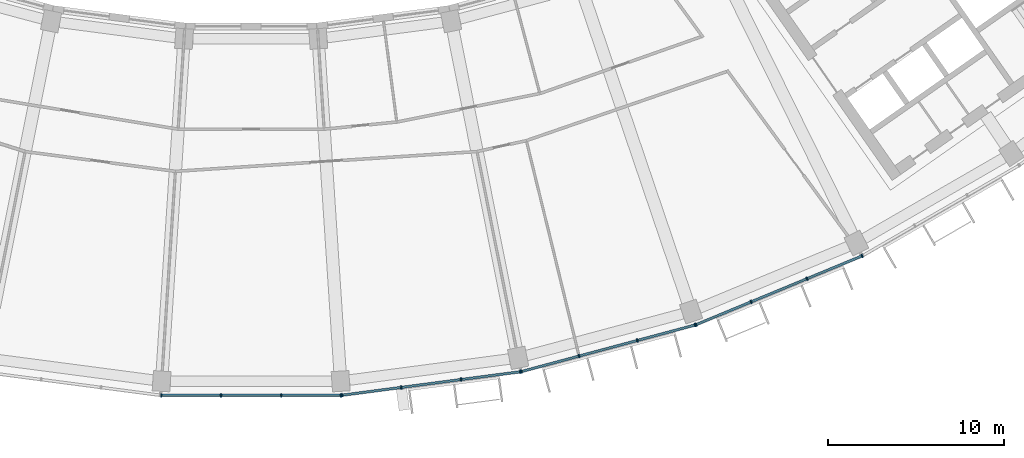
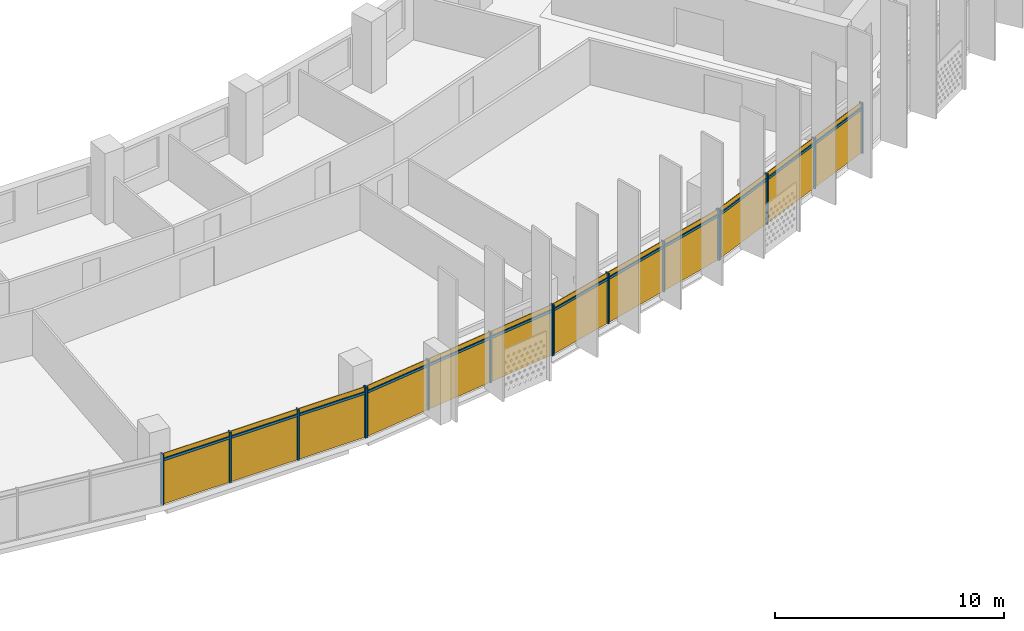
# One storey, part 20 of 27: 28 members, 4 curtain walls.
"""IFC4 building model written with IfcOpenShell, lengths in metres."""

from ifc_helpers import new_model, si_unit, direction, frame, origin, origin_2d, place, context, subcontext, project, spatial, rectangle, extrude, material, material_profile, profile_set, type_object, element, aggregate, save


model = new_model("IFC4")

# Units and contexts
model_context = context("Model", 3, precision=1e-05, world=origin(), true_north=direction((0.0, 1.0)))
body_context = subcontext(model_context, "Body", "Model", "MODEL_VIEW")
ifc_project = project(units=[si_unit("LENGTHUNIT", "METRE"), si_unit("AREAUNIT", "SQUARE_METRE"), si_unit("VOLUMEUNIT", "CUBIC_METRE"), si_unit("PLANEANGLEUNIT", "RADIAN"), si_unit("MASSUNIT", "GRAM", prefix="KILO")], contexts=[model_context])

# Member
ifc_material = material(Name="Aluminium 6063-T6 anodised", Category="aluminium")
ifc_material_profile_1 = material_profile(ifc_material, rectangle(XDim=0.199951171875, YDim=0.070068359375, at=origin_2d()))
ifc_profile_set_1 = profile_set([ifc_material_profile_1], Name="Aluminium 6063-T6 anodised")
member_type_1 = type_object("IfcMemberType", Name="Mullion 70 x 200 aluminium", PredefinedType="MULLION", material=ifc_profile_set_1)
site_placement = place(None, origin())
building_placement = place(site_placement, origin())
storey_placement = place(building_placement, frame((0.0, 0.0, 211.300048828125)))
member_1_placement = place(storey_placement, frame((-5.10888671875, -78.381591796875, 0.0), z_axis=(0.0, 0.0, 1.0), x_axis=(0.0, 1.0, 0.0)))
member_1 = element("IfcMember", 1, at=member_1_placement, type_object=member_type_1, Name="e-cw1-L50-out08/M00", PredefinedType="MULLION", context=body_context, shape_type="SweptSolid", body=[
    extrude(rectangle(XDim=0.199951171875, YDim=0.070068359375, at=origin_2d()), origin(), (0.0, 0.0, 1.0), 2.699951171875),
])

member_2_placement = place(storey_placement, frame((-1.714599609375, -78.381591796875, 0.0), z_axis=(0.0, 0.0, 1.0), x_axis=(0.0, 1.0, 0.0)))
member_2 = element("IfcMember", 2, at=member_2_placement, type_object=member_type_1, Name="e-cw1-L50-out08/M01", PredefinedType="MULLION", context=body_context, shape_type="SweptSolid", body=[
    extrude(rectangle(XDim=0.199951171875, YDim=0.070068359375, at=origin_2d()), origin(), (0.0, 0.0, 1.0), 2.699951171875),
])

member_3_placement = place(storey_placement, frame((1.714599609375, -78.381591796875, 0.0), z_axis=(0.0, 0.0, 1.0), x_axis=(0.0, 1.0, 0.0)))
member_3 = element("IfcMember", 3, at=member_3_placement, type_object=member_type_1, Name="e-cw1-L50-out08/M02", PredefinedType="MULLION", context=body_context, shape_type="SweptSolid", body=[
    extrude(rectangle(XDim=0.199951171875, YDim=0.070068359375, at=origin_2d()), origin(), (0.0, 0.0, 1.0), 2.699951171875),
])

member_4_placement = place(storey_placement, frame((5.10888671875, -78.381591796875, 0.0), z_axis=(0.0, 0.0, 1.0), x_axis=(0.0, 1.0, 0.0)))
member_4 = element("IfcMember", 4, at=member_4_placement, type_object=member_type_1, Name="e-cw1-L50-out08/M03", PredefinedType="MULLION", context=body_context, shape_type="SweptSolid", body=[
    extrude(rectangle(XDim=0.199951171875, YDim=0.070068359375, at=origin_2d()), origin(), (0.0, 0.0, 1.0), 2.699951171875),
])

member_5_placement = place(storey_placement, frame((5.16552734375, -78.3779296875, 0.0), z_axis=(0.0, 0.0, 1.0), x_axis=(-0.13052619222, 0.991444861374, 0.0)))
member_5 = element("IfcMember", 5, at=member_5_placement, type_object=member_type_1, Name="e-cw1-L50-out09/M00", PredefinedType="MULLION", context=body_context, shape_type="SweptSolid", body=[
    extrude(rectangle(XDim=0.199951171875, YDim=0.070068359375, at=origin_2d()), origin(), (0.0, 0.0, 1.0), 2.699951171875),
])

member_6_placement = place(storey_placement, frame((8.53076171875, -77.934814453125, 0.0), z_axis=(0.0, 0.0, 1.0), x_axis=(-0.13052619222, 0.991444861374, 0.0)))
member_6 = element("IfcMember", 6, at=member_6_placement, type_object=member_type_1, Name="e-cw1-L50-out09/M01", PredefinedType="MULLION", context=body_context, shape_type="SweptSolid", body=[
    extrude(rectangle(XDim=0.199951171875, YDim=0.070068359375, at=origin_2d()), origin(), (0.0, 0.0, 1.0), 2.699951171875),
])

member_7_placement = place(storey_placement, frame((11.930908203125, -77.4873046875, 0.0), z_axis=(0.0, 0.0, 1.0), x_axis=(-0.13052619222, 0.991444861374, 0.0)))
member_7 = element("IfcMember", 7, at=member_7_placement, type_object=member_type_1, Name="e-cw1-L50-out09/M02", PredefinedType="MULLION", context=body_context, shape_type="SweptSolid", body=[
    extrude(rectangle(XDim=0.199951171875, YDim=0.070068359375, at=origin_2d()), origin(), (0.0, 0.0, 1.0), 2.699951171875),
])

member_8_placement = place(storey_placement, frame((15.296142578125, -77.044189453125, 0.0), z_axis=(0.0, 0.0, 1.0), x_axis=(-0.13052619222, 0.991444861374, 0.0)))
member_8 = element("IfcMember", 8, at=member_8_placement, type_object=member_type_1, Name="e-cw1-L50-out09/M03", PredefinedType="MULLION", context=body_context, shape_type="SweptSolid", body=[
    extrude(rectangle(XDim=0.199951171875, YDim=0.070068359375, at=origin_2d()), origin(), (0.0, 0.0, 1.0), 2.699951171875),
])

member_9_placement = place(storey_placement, frame((15.351806640625, -77.033203125, 0.0), z_axis=(0.0, 0.0, 1.0), x_axis=(-0.258819045103, 0.965925826289, 0.0)))
member_9 = element("IfcMember", 9, at=member_9_placement, type_object=member_type_1, Name="e-cw1-L50-out10/M00", PredefinedType="MULLION", context=body_context, shape_type="SweptSolid", body=[
    extrude(rectangle(XDim=0.199951171875, YDim=0.070068359375, at=origin_2d()), origin(), (0.0, 0.0, 1.0), 2.699951171875),
])

member_10_placement = place(storey_placement, frame((18.63037109375, -76.154541015625, 0.0), z_axis=(0.0, 0.0, 1.0), x_axis=(-0.258819045103, 0.965925826289, 0.0)))
member_10 = element("IfcMember", 10, at=member_10_placement, type_object=member_type_1, Name="e-cw1-L50-out10/M01", PredefinedType="MULLION", context=body_context, shape_type="SweptSolid", body=[
    extrude(rectangle(XDim=0.199951171875, YDim=0.070068359375, at=origin_2d()), origin(), (0.0, 0.0, 1.0), 2.699951171875),
])

member_11_placement = place(storey_placement, frame((21.94287109375, -75.26708984375, 0.0), z_axis=(0.0, 0.0, 1.0), x_axis=(-0.258819045103, 0.965925826289, 0.0)))
member_11 = element("IfcMember", 11, at=member_11_placement, type_object=member_type_1, Name="e-cw1-L50-out10/M02", PredefinedType="MULLION", context=body_context, shape_type="SweptSolid", body=[
    extrude(rectangle(XDim=0.199951171875, YDim=0.070068359375, at=origin_2d()), origin(), (0.0, 0.0, 1.0), 2.699951171875),
])

member_12_placement = place(storey_placement, frame((25.221435546875, -74.388427734375, 0.0), z_axis=(0.0, 0.0, 1.0), x_axis=(-0.258819045103, 0.965925826289, 0.0)))
member_12 = element("IfcMember", 12, at=member_12_placement, type_object=member_type_1, Name="e-cw1-L50-out10/M03", PredefinedType="MULLION", context=body_context, shape_type="SweptSolid", body=[
    extrude(rectangle(XDim=0.199951171875, YDim=0.070068359375, at=origin_2d()), origin(), (0.0, 0.0, 1.0), 2.699951171875),
])

member_13_placement = place(storey_placement, frame((25.275390625, -74.370361328125, 0.0), z_axis=(0.0, 0.0, 1.0), x_axis=(-0.382683432365, 0.923879532511, 0.0)))
member_13 = element("IfcMember", 13, at=member_13_placement, type_object=member_type_1, Name="e-cw1-L50-out11/M00", PredefinedType="MULLION", context=body_context, shape_type="SweptSolid", body=[
    extrude(rectangle(XDim=0.199951171875, YDim=0.070068359375, at=origin_2d()), origin(), (0.0, 0.0, 1.0), 2.699951171875),
])

member_14_placement = place(storey_placement, frame((28.4111328125, -73.0712890625, 0.0), z_axis=(0.0, 0.0, 1.0), x_axis=(-0.382683432365, 0.923879532511, 0.0)))
member_14 = element("IfcMember", 14, at=member_14_placement, type_object=member_type_1, Name="e-cw1-L50-out11/M01", PredefinedType="MULLION", context=body_context, shape_type="SweptSolid", body=[
    extrude(rectangle(XDim=0.199951171875, YDim=0.070068359375, at=origin_2d()), origin(), (0.0, 0.0, 1.0), 2.699951171875),
])

member_15_placement = place(storey_placement, frame((31.57958984375, -71.759033203125, 0.0), z_axis=(0.0, 0.0, 1.0), x_axis=(-0.382683432365, 0.923879532511, 0.0)))
member_15 = element("IfcMember", 15, at=member_15_placement, type_object=member_type_1, Name="e-cw1-L50-out11/M02", PredefinedType="MULLION", context=body_context, shape_type="SweptSolid", body=[
    extrude(rectangle(XDim=0.199951171875, YDim=0.070068359375, at=origin_2d()), origin(), (0.0, 0.0, 1.0), 2.699951171875),
])

member_16_placement = place(storey_placement, frame((34.71533203125, -70.4599609375, 0.0), z_axis=(0.0, 0.0, 1.0), x_axis=(-0.382683432365, 0.923879532511, 0.0)))
member_16 = element("IfcMember", 16, at=member_16_placement, type_object=member_type_1, Name="e-cw1-L50-out11/M03", PredefinedType="MULLION", context=body_context, shape_type="SweptSolid", body=[
    extrude(rectangle(XDim=0.199951171875, YDim=0.070068359375, at=origin_2d()), origin(), (0.0, 0.0, 1.0), 2.699951171875),
])

ifc_material_profile_2 = material_profile(ifc_material, rectangle(XDim=0.139892578125, YDim=0.1201171875, at=origin_2d()))
ifc_profile_set_2 = profile_set([ifc_material_profile_2], Name="Aluminium 6063-T6 anodised")
member_type_2 = type_object("IfcMemberType", Name="Transom 120 x 140 aluminium", PredefinedType="USERDEFINED", material=ifc_profile_set_2)
member_17_placement = place(storey_placement, frame((-5.073974609375, -78.381591796875, 2.39990234375), z_axis=(1.0, 0.0, 0.0), x_axis=(0.0, 1.0, 0.0)))
member_17 = element("IfcMember", 17, at=member_17_placement, type_object=member_type_2, Name="e-cw1-L50-out08/T00", ObjectType="TRANSOM", PredefinedType="USERDEFINED", context=body_context, shape_type="SweptSolid", body=[
    extrude(rectangle(XDim=0.139892578125, YDim=0.1201171875, at=origin_2d()), origin(), (0.0, 0.0, 1.0), 3.32421875),
])

member_18_placement = place(storey_placement, frame((-1.6796875, -78.381591796875, 2.39990234375), z_axis=(1.0, 0.0, 0.0), x_axis=(0.0, 1.0, 0.0)))
member_18 = element("IfcMember", 18, at=member_18_placement, type_object=member_type_2, Name="e-cw1-L50-out08/T01", ObjectType="TRANSOM", PredefinedType="USERDEFINED", context=body_context, shape_type="SweptSolid", body=[
    extrude(rectangle(XDim=0.139892578125, YDim=0.1201171875, at=origin_2d()), origin(), (0.0, 0.0, 1.0), 3.359375),
])

member_19_placement = place(storey_placement, frame((1.749755859375, -78.381591796875, 2.39990234375), z_axis=(1.0, 0.0, 0.0), x_axis=(0.0, 1.0, 0.0)))
member_19 = element("IfcMember", 19, at=member_19_placement, type_object=member_type_2, Name="e-cw1-L50-out08/T02", ObjectType="TRANSOM", PredefinedType="USERDEFINED", context=body_context, shape_type="SweptSolid", body=[
    extrude(rectangle(XDim=0.139892578125, YDim=0.1201171875, at=origin_2d()), origin(), (0.0, 0.0, 1.0), 3.32421875),
])

member_20_placement = place(storey_placement, frame((5.2001953125, -78.373291015625, 2.39990234375), z_axis=(0.991447795146, 0.130503906072, 0.0), x_axis=(-0.130503906072, 0.991447795146, 0.0)))
member_20 = element("IfcMember", 20, at=member_20_placement, type_object=member_type_2, Name="e-cw1-L50-out09/T00", ObjectType="TRANSOM", PredefinedType="USERDEFINED", context=body_context, shape_type="SweptSolid", body=[
    extrude(rectangle(XDim=0.139892578125, YDim=0.1201171875, at=origin_2d()), origin(), (0.0, 0.0, 1.0), 3.32421875),
])

member_21_placement = place(storey_placement, frame((8.565673828125, -77.93017578125, 2.39990234375), z_axis=(0.991444893088, 0.130525951326, 0.0), x_axis=(-0.130525951326, 0.991444893088, 0.0)))
member_21 = element("IfcMember", 21, at=member_21_placement, type_object=member_type_2, Name="e-cw1-L50-out09/T01", ObjectType="TRANSOM", PredefinedType="USERDEFINED", context=body_context, shape_type="SweptSolid", body=[
    extrude(rectangle(XDim=0.139892578125, YDim=0.1201171875, at=origin_2d()), origin(), (0.0, 0.0, 1.0), 3.359375),
])

member_22_placement = place(storey_placement, frame((11.965576171875, -77.482666015625, 2.39990234375), z_axis=(0.991447795146, 0.130503906072, 0.0), x_axis=(-0.130503906072, 0.991447795146, 0.0)))
member_22 = element("IfcMember", 22, at=member_22_placement, type_object=member_type_2, Name="e-cw1-L50-out09/T02", ObjectType="TRANSOM", PredefinedType="USERDEFINED", context=body_context, shape_type="SweptSolid", body=[
    extrude(rectangle(XDim=0.139892578125, YDim=0.1201171875, at=origin_2d()), origin(), (0.0, 0.0, 1.0), 3.32421875),
])

member_23_placement = place(storey_placement, frame((15.385498046875, -77.024169921875, 2.39990234375), z_axis=(0.965913629723, 0.258864559019, 0.0), x_axis=(-0.258864559019, 0.965913629723, 0.0)))
member_23 = element("IfcMember", 23, at=member_23_placement, type_object=member_type_2, Name="e-cw1-L50-out10/T00", ObjectType="TRANSOM", PredefinedType="USERDEFINED", context=body_context, shape_type="SweptSolid", body=[
    extrude(rectangle(XDim=0.139892578125, YDim=0.1201171875, at=origin_2d()), origin(), (0.0, 0.0, 1.0), 3.324462890625),
])

member_24_placement = place(storey_placement, frame((18.664306640625, -76.1455078125, 2.39990234375), z_axis=(0.965931507774, 0.258797840582, 0.0), x_axis=(-0.258797840582, 0.965931507774, 0.0)))
member_24 = element("IfcMember", 24, at=member_24_placement, type_object=member_type_2, Name="e-cw1-L50-out10/T01", ObjectType="TRANSOM", PredefinedType="USERDEFINED", context=body_context, shape_type="SweptSolid", body=[
    extrude(rectangle(XDim=0.139892578125, YDim=0.1201171875, at=origin_2d()), origin(), (0.0, 0.0, 1.0), 3.359375),
])

member_25_placement = place(storey_placement, frame((21.976806640625, -75.258056640625, 2.39990234375), z_axis=(0.965908708139, 0.25888292246, 0.0), x_axis=(-0.25888292246, 0.965908708139, 0.0)))
member_25 = element("IfcMember", 25, at=member_25_placement, type_object=member_type_2, Name="e-cw1-L50-out10/T02", ObjectType="TRANSOM", PredefinedType="USERDEFINED", context=body_context, shape_type="SweptSolid", body=[
    extrude(rectangle(XDim=0.139892578125, YDim=0.1201171875, at=origin_2d()), origin(), (0.0, 0.0, 1.0), 3.32421875),
])

member_26_placement = place(storey_placement, frame((25.3076171875, -74.35693359375, 2.39990234375), z_axis=(0.923874511193, 0.382695554676, 0.0), x_axis=(-0.382695554676, 0.923874511193, 0.0)))
member_26 = element("IfcMember", 26, at=member_26_placement, type_object=member_type_2, Name="e-cw1-L50-out11/T00", ObjectType="TRANSOM", PredefinedType="USERDEFINED", context=body_context, shape_type="SweptSolid", body=[
    extrude(rectangle(XDim=0.139892578125, YDim=0.1201171875, at=origin_2d()), origin(), (0.0, 0.0, 1.0), 3.324462890625),
])

member_27_placement = place(storey_placement, frame((28.443603515625, -73.057861328125, 2.39990234375), z_axis=(0.923891938088, 0.38265348128, 0.0), x_axis=(-0.38265348128, 0.923891938088, 0.0)))
member_27 = element("IfcMember", 27, at=member_27_placement, type_object=member_type_2, Name="e-cw1-L50-out11/T01", ObjectType="TRANSOM", PredefinedType="USERDEFINED", context=body_context, shape_type="SweptSolid", body=[
    extrude(rectangle(XDim=0.139892578125, YDim=0.1201171875, at=origin_2d()), origin(), (0.0, 0.0, 1.0), 3.359130859375),
])

member_28_placement = place(storey_placement, frame((31.61181640625, -71.74560546875, 2.39990234375), z_axis=(0.923874511193, 0.382695554676, 0.0), x_axis=(-0.382695554676, 0.923874511193, 0.0)))
member_28 = element("IfcMember", 28, at=member_28_placement, type_object=member_type_2, Name="e-cw1-L50-out11/T02", ObjectType="TRANSOM", PredefinedType="USERDEFINED", context=body_context, shape_type="SweptSolid", body=[
    extrude(rectangle(XDim=0.139892578125, YDim=0.1201171875, at=origin_2d()), origin(), (0.0, 0.0, 1.0), 3.324462890625),
])

# Site, building, storey
site = spatial("IfcSite", under=ifc_project, at=site_placement, CompositionType="ELEMENT")
building = spatial("IfcBuilding", under=site, at=building_placement, Name="Qamariyya Broadcast Tower", CompositionType="ELEMENT")
storey = spatial("IfcBuildingStorey", under=building, at=storey_placement, Name="L50", CompositionType="ELEMENT", Elevation=211.300048828125)

# Curtain wall
curtain_wall_type = type_object("IfcCurtainWallType", Name="Unitised curtain wall, anodised aluminium", PredefinedType="NOTDEFINED", material=ifc_material)
curtain_wall_1_placement = place(storey_placement, origin())
curtain_wall_1 = element("IfcCurtainWall", 29, at=curtain_wall_1_placement, inside=storey, type_object=curtain_wall_type, Name="e-cw1-L50-out08", PredefinedType="NOTDEFINED", context=body_context, shape_type="SweptSolid", body=[
    extrude(rectangle(XDim=3.324462890625, YDim=0.031982421875, at=origin_2d()), frame((-3.411865234375, -78.381591796875, 0.0), x_axis=(1.0, 0.0, 0.0)), (0.0, 0.0, 1.0), 2.340087890625),
    extrude(rectangle(XDim=3.324462890625, YDim=0.031982421875, at=origin_2d()), frame((-3.411865234375, -78.381591796875, 2.4599609375), x_axis=(1.0, 0.0, 0.0)), (0.0, 0.0, 1.0), 0.239990234375),
    extrude(rectangle(XDim=3.359375, YDim=0.031982421875, at=origin_2d()), frame((0.0, -78.381591796875, 0.0), x_axis=(1.0, 0.0, 0.0)), (0.0, 0.0, 1.0), 2.340087890625),
    extrude(rectangle(XDim=3.359375, YDim=0.031982421875, at=origin_2d()), frame((0.0, -78.381591796875, 2.4599609375), x_axis=(1.0, 0.0, 0.0)), (0.0, 0.0, 1.0), 0.239990234375),
    extrude(rectangle(XDim=3.324462890625, YDim=0.031982421875, at=origin_2d()), frame((3.411865234375, -78.381591796875, 0.0), x_axis=(1.0, 0.0, 0.0)), (0.0, 0.0, 1.0), 2.340087890625),
    extrude(rectangle(XDim=3.324462890625, YDim=0.031982421875, at=origin_2d()), frame((3.411865234375, -78.381591796875, 2.4599609375), x_axis=(1.0, 0.0, 0.0)), (0.0, 0.0, 1.0), 0.239990234375),
])

aggregate(curtain_wall_1, [member_1, member_2, member_3, member_4, member_17, member_18, member_19])

curtain_wall_2_placement = place(storey_placement, origin())
curtain_wall_2 = element("IfcCurtainWall", 30, at=curtain_wall_2_placement, inside=storey, type_object=curtain_wall_type, Name="e-cw1-L50-out09", PredefinedType="NOTDEFINED", context=body_context, shape_type="SweptSolid", body=[
    extrude(rectangle(XDim=3.32421875, YDim=0.031982421875, at=origin_2d()), frame((6.84814453125, -78.156494140625, 0.0), x_axis=(0.991442741341, 0.130542294457, 0.0)), (0.0, 0.0, 1.0), 2.340087890625),
    extrude(rectangle(XDim=3.32421875, YDim=0.031982421875, at=origin_2d()), frame((6.84814453125, -78.156494140625, 2.4599609375), x_axis=(0.991442741341, 0.130542294457, 0.0)), (0.0, 0.0, 1.0), 0.239990234375),
    extrude(rectangle(XDim=3.359375, YDim=0.031982421875, at=origin_2d()), frame((10.23095703125, -77.7109375, 0.0), x_axis=(0.991442741341, 0.130542294457, 0.0)), (0.0, 0.0, 1.0), 2.340087890625),
    extrude(rectangle(XDim=3.359375, YDim=0.031982421875, at=origin_2d()), frame((10.23095703125, -77.7109375, 2.4599609375), x_axis=(0.991442741341, 0.130542294457, 0.0)), (0.0, 0.0, 1.0), 0.239990234375),
    extrude(rectangle(XDim=3.32421875, YDim=0.031982421875, at=origin_2d()), frame((13.613525390625, -77.265625, 0.0), x_axis=(0.991442741341, 0.130542294457, 0.0)), (0.0, 0.0, 1.0), 2.340087890625),
    extrude(rectangle(XDim=3.32421875, YDim=0.031982421875, at=origin_2d()), frame((13.613525390625, -77.265625, 2.4599609375), x_axis=(0.991442741341, 0.130542294457, 0.0)), (0.0, 0.0, 1.0), 0.239990234375),
])

aggregate(curtain_wall_2, [member_5, member_6, member_7, member_8, member_20, member_21, member_22])

curtain_wall_3_placement = place(storey_placement, origin())
curtain_wall_3 = element("IfcCurtainWall", 31, at=curtain_wall_3_placement, inside=storey, type_object=curtain_wall_type, Name="e-cw1-L50-out10", PredefinedType="NOTDEFINED", context=body_context, shape_type="SweptSolid", body=[
    extrude(rectangle(XDim=3.324462890625, YDim=0.031982421875, at=origin_2d()), frame((16.990966796875, -76.593994140625, 0.0), x_axis=(0.965923476514, 0.258827814424, 0.0)), (0.0, 0.0, 1.0), 2.340087890625),
    extrude(rectangle(XDim=3.324462890625, YDim=0.031982421875, at=origin_2d()), frame((16.990966796875, -76.593994140625, 2.4599609375), x_axis=(0.965923476514, 0.258827814424, 0.0)), (0.0, 0.0, 1.0), 0.239990234375),
    extrude(rectangle(XDim=3.359375, YDim=0.031982421875, at=origin_2d()), frame((20.28662109375, -75.7109375, 0.0), x_axis=(0.965923476514, 0.258827814424, 0.0)), (0.0, 0.0, 1.0), 2.340087890625),
    extrude(rectangle(XDim=3.359375, YDim=0.031982421875, at=origin_2d()), frame((20.28662109375, -75.7109375, 2.4599609375), x_axis=(0.965923476514, 0.258827814424, 0.0)), (0.0, 0.0, 1.0), 0.239990234375),
    extrude(rectangle(XDim=3.324462890625, YDim=0.031982421875, at=origin_2d()), frame((23.582275390625, -74.82763671875, 0.0), x_axis=(0.965923476514, 0.258827814424, 0.0)), (0.0, 0.0, 1.0), 2.340087890625),
    extrude(rectangle(XDim=3.324462890625, YDim=0.031982421875, at=origin_2d()), frame((23.582275390625, -74.82763671875, 2.4599609375), x_axis=(0.965923476514, 0.258827814424, 0.0)), (0.0, 0.0, 1.0), 0.239990234375),
])

aggregate(curtain_wall_3, [member_9, member_10, member_11, member_12, member_23, member_24, member_25])

curtain_wall_4_placement = place(storey_placement, origin())
curtain_wall_4 = element("IfcCurtainWall", 32, at=curtain_wall_4_placement, inside=storey, type_object=curtain_wall_type, Name="e-cw1-L50-out11", PredefinedType="NOTDEFINED", context=body_context, shape_type="SweptSolid", body=[
    extrude(rectangle(XDim=3.32421875, YDim=0.031982421875, at=origin_2d()), frame((26.84326171875, -73.720703125, 0.0), x_axis=(0.923880895135, 0.382680142683, 0.0)), (0.0, 0.0, 1.0), 2.340087890625),
    extrude(rectangle(XDim=3.32421875, YDim=0.031982421875, at=origin_2d()), frame((26.84326171875, -73.720703125, 2.4599609375), x_axis=(0.923880895135, 0.382680142683, 0.0)), (0.0, 0.0, 1.0), 0.239990234375),
    extrude(rectangle(XDim=3.359375, YDim=0.031982421875, at=origin_2d()), frame((29.995361328125, -72.4150390625, 0.0), x_axis=(0.923880895135, 0.382680142683, 0.0)), (0.0, 0.0, 1.0), 2.340087890625),
    extrude(rectangle(XDim=3.359375, YDim=0.031982421875, at=origin_2d()), frame((29.995361328125, -72.4150390625, 2.4599609375), x_axis=(0.923880895135, 0.382680142683, 0.0)), (0.0, 0.0, 1.0), 0.239990234375),
    extrude(rectangle(XDim=3.32421875, YDim=0.031982421875, at=origin_2d()), frame((33.1474609375, -71.109375, 0.0), x_axis=(0.923880895135, 0.382680142683, 0.0)), (0.0, 0.0, 1.0), 2.340087890625),
    extrude(rectangle(XDim=3.32421875, YDim=0.031982421875, at=origin_2d()), frame((33.1474609375, -71.109375, 2.4599609375), x_axis=(0.923880895135, 0.382680142683, 0.0)), (0.0, 0.0, 1.0), 0.239990234375),
])

aggregate(curtain_wall_4, [member_13, member_14, member_15, member_16, member_26, member_27, member_28])

save(model, "model.ifc")
